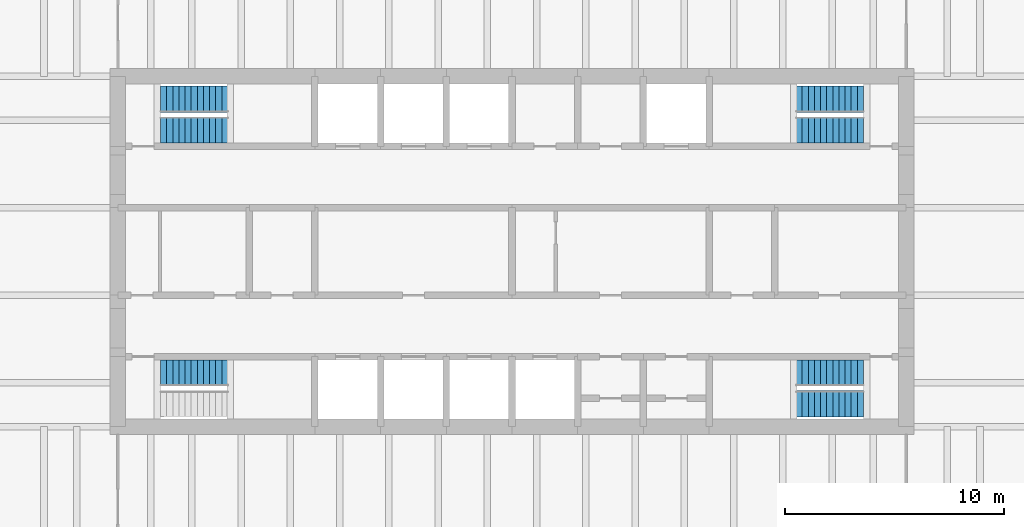
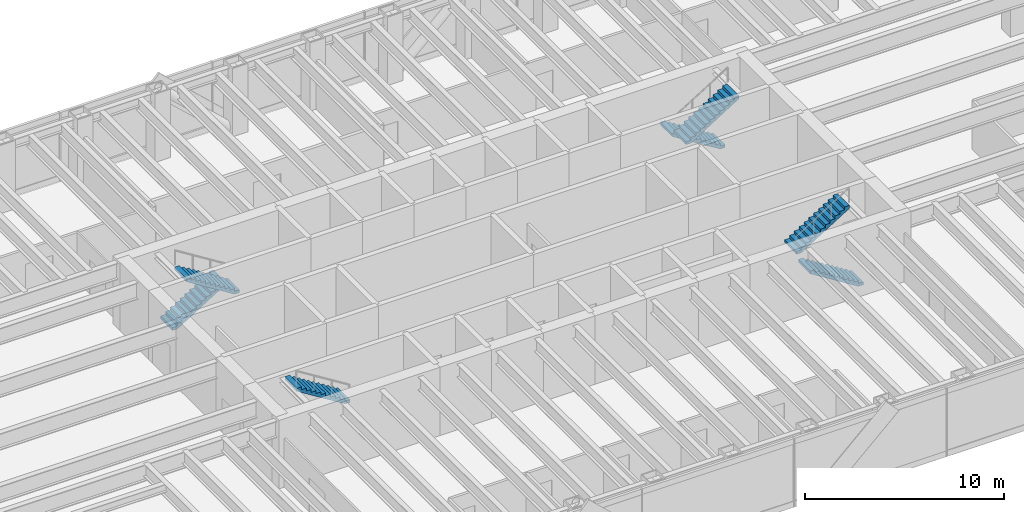
# One storey, part 14 of 15: 7 stair flights, 4 elements without a shape of their own.
"""IFC4 building model written with IfcOpenShell, lengths in metres."""

from ifc_helpers import new_model, si_unit, direction, frame, origin, place, context, subcontext, project, spatial, polyline, outline, extrude, material, type_object, element, aggregate, save


model = new_model("IFC4")

# Units and contexts
model_context = context("Model", 3, precision=1e-05, world=origin(), true_north=direction((0.0, 1.0)))
body_context = subcontext(model_context, "Body", "Model", "MODEL_VIEW")
ifc_project = project(units=[si_unit("LENGTHUNIT", "METRE"), si_unit("AREAUNIT", "SQUARE_METRE"), si_unit("VOLUMEUNIT", "CUBIC_METRE"), si_unit("PLANEANGLEUNIT", "RADIAN"), si_unit("MASSUNIT", "GRAM", prefix="KILO")], contexts=[model_context])

# Site, building, storey
site_placement = place(None, origin())
site = spatial("IfcSite", under=ifc_project, at=site_placement, CompositionType="ELEMENT")
building_placement = place(site_placement, origin())
building = spatial("IfcBuilding", under=site, at=building_placement, Name="Rheinbord Bourse Tower", CompositionType="ELEMENT")
storey_placement = place(building_placement, frame((0.0, 0.0, 308.89990234375)))
storey = spatial("IfcBuildingStorey", under=building, at=storey_placement, Name="L70", CompositionType="ELEMENT", Elevation=308.89990234375)

# Stair, stair flight
ifc_material_1 = material(Name="Concrete C30/37", Category="concrete")
stair_type = type_object("IfcStairType", Name="CORE STAIR HALF TURN 4200", PredefinedType="HALF_TURN_STAIR", material=ifc_material_1)
stair_1_placement = place(storey_placement, origin())
stair_1 = element("IfcStair", 1, at=stair_1_placement, inside=storey, type_object=stair_type, Name="Stair ST1 L70, type CS6", PredefinedType="HALF_TURN_STAIR")
ifc_material_2 = material(Name="Concrete C30/37", Category="concrete")
stair_flight_type = type_object("IfcStairFlightType", Name="CORE STAIR FLIGHT 1200, 12 RISERS", PredefinedType="STRAIGHT", material=ifc_material_2)
stair_flight_1_placement = place(storey_placement, frame((23.030029296875, 18.449951171875, 2.10009765625), z_axis=(0.0, 0.0, 1.0), x_axis=(-1.0, 0.0, 0.0)))
stair_flight_1 = element("IfcStairFlight", 2, at=stair_flight_1_placement, type_object=stair_flight_type, Name="STAIR L70 ST1 F2", NumberOfRisers=12, NumberOfTreads=11, PredefinedType="STRAIGHT", RiserHeight=0.175, TreadLength=0.28, context=body_context, shape_type="SweptSolid", body=[
    extrude(outline(polyline([(0.0, 0.0), (0.0, 0.175048828125), (0.280029296875, 0.175048828125), (0.280029296875, 0.35009765625), (0.56005859375, 0.35009765625), (0.56005859375, 0.52490234375), (0.840087890625, 0.52490234375), (0.840087890625, 0.699951171875), (1.1201171875, 0.699951171875), (1.1201171875, 0.875), (1.39990234375, 0.875), (1.39990234375, 1.050048828125), (1.679931640625, 1.050048828125), (1.679931640625, 1.22509765625), (1.9599609375, 1.22509765625), (1.9599609375, 1.39990234375), (2.239990234375, 1.39990234375), (2.239990234375, 1.574951171875), (2.52001953125, 1.574951171875), (2.52001953125, 1.75), (2.800048828125, 1.75), (2.800048828125, 1.925048828125), (3.080078125, 1.925048828125), (3.080078125, 2.10009765625), (3.080078125, 1.748291015625), (0.28271484375, 0.0), (0.0, 0.0)])), frame((0.0, 0.60009765625, 0.0), z_axis=(0.0, -1.0, 0.0), x_axis=(1.0, 0.0, 0.0)), (0.0, 0.0, 1.0), 1.199951171875),
])
aggregate(stair_1, [stair_flight_1])

# Stair, stair flights
stair_2_placement = place(storey_placement, origin())
stair_2 = element("IfcStair", 3, at=stair_2_placement, inside=storey, type_object=stair_type, Name="Stair ST2 L70, type CS6", PredefinedType="HALF_TURN_STAIR")
stair_flight_2_placement = place(storey_placement, frame((19.949951171875, 30.949951171875, 0.0), z_axis=(0.0, 0.0, 1.0), x_axis=(1.0, 0.0, 0.0)))
stair_flight_2 = element("IfcStairFlight", 4, at=stair_flight_2_placement, type_object=stair_flight_type, Name="STAIR L70 ST2 F1", NumberOfRisers=12, NumberOfTreads=11, PredefinedType="STRAIGHT", RiserHeight=0.175, TreadLength=0.28, context=body_context, shape_type="SweptSolid", body=[
    extrude(outline(polyline([(0.0, 0.0), (0.0, 0.175048828125), (0.280029296875, 0.175048828125), (0.280029296875, 0.35009765625), (0.56005859375, 0.35009765625), (0.56005859375, 0.52490234375), (0.840087890625, 0.52490234375), (0.840087890625, 0.699951171875), (1.1201171875, 0.699951171875), (1.1201171875, 0.875), (1.39990234375, 0.875), (1.39990234375, 1.050048828125), (1.679931640625, 1.050048828125), (1.679931640625, 1.22509765625), (1.9599609375, 1.22509765625), (1.9599609375, 1.39990234375), (2.239990234375, 1.39990234375), (2.239990234375, 1.574951171875), (2.52001953125, 1.574951171875), (2.52001953125, 1.75), (2.800048828125, 1.75), (2.800048828125, 1.925048828125), (3.080078125, 1.925048828125), (3.080078125, 2.10009765625), (3.080078125, 1.748291015625), (0.28271484375, 0.0), (0.0, 0.0)])), frame((0.0, 0.60009765625, 0.0), z_axis=(0.0, -1.0, 0.0), x_axis=(1.0, 0.0, 0.0)), (0.0, 0.0, 1.0), 1.199951171875),
])
stair_flight_3_placement = place(storey_placement, frame((23.030029296875, 29.550048828125, 2.10009765625), z_axis=(0.0, 0.0, 1.0), x_axis=(-1.0, 0.0, 0.0)))
stair_flight_3 = element("IfcStairFlight", 5, at=stair_flight_3_placement, type_object=stair_flight_type, Name="STAIR L70 ST2 F2", NumberOfRisers=12, NumberOfTreads=11, PredefinedType="STRAIGHT", RiserHeight=0.175, TreadLength=0.28, context=body_context, shape_type="SweptSolid", body=[
    extrude(outline(polyline([(0.0, 0.0), (0.0, 0.175048828125), (0.280029296875, 0.175048828125), (0.280029296875, 0.35009765625), (0.56005859375, 0.35009765625), (0.56005859375, 0.52490234375), (0.840087890625, 0.52490234375), (0.840087890625, 0.699951171875), (1.1201171875, 0.699951171875), (1.1201171875, 0.875), (1.39990234375, 0.875), (1.39990234375, 1.050048828125), (1.679931640625, 1.050048828125), (1.679931640625, 1.22509765625), (1.9599609375, 1.22509765625), (1.9599609375, 1.39990234375), (2.239990234375, 1.39990234375), (2.239990234375, 1.574951171875), (2.52001953125, 1.574951171875), (2.52001953125, 1.75), (2.800048828125, 1.75), (2.800048828125, 1.925048828125), (3.080078125, 1.925048828125), (3.080078125, 2.10009765625), (3.080078125, 1.748291015625), (0.28271484375, 0.0), (0.0, 0.0)])), frame((0.0, 0.60009765625, 0.0), z_axis=(0.0, -1.0, 0.0), x_axis=(1.0, 0.0, 0.0)), (0.0, 0.0, 1.0), 1.199951171875),
])
aggregate(stair_2, [stair_flight_2, stair_flight_3])

stair_3_placement = place(storey_placement, origin())
stair_3 = element("IfcStair", 6, at=stair_3_placement, inside=storey, type_object=stair_type, Name="Stair ST3 L70, type CS6", PredefinedType="HALF_TURN_STAIR")
stair_flight_4_placement = place(storey_placement, frame((52.050048828125, 17.050048828125, 0.0), z_axis=(0.0, 0.0, 1.0), x_axis=(-1.0, 0.0, 0.0)))
stair_flight_4 = element("IfcStairFlight", 7, at=stair_flight_4_placement, type_object=stair_flight_type, Name="STAIR L70 ST3 F1", NumberOfRisers=12, NumberOfTreads=11, PredefinedType="STRAIGHT", RiserHeight=0.175, TreadLength=0.28, context=body_context, shape_type="SweptSolid", body=[
    extrude(outline(polyline([(0.0, 0.0), (0.0, 0.175048828125), (0.280029296875, 0.175048828125), (0.280029296875, 0.35009765625), (0.56005859375, 0.35009765625), (0.56005859375, 0.52490234375), (0.840087890625, 0.52490234375), (0.840087890625, 0.699951171875), (1.1201171875, 0.699951171875), (1.1201171875, 0.875), (1.39990234375, 0.875), (1.39990234375, 1.050048828125), (1.679931640625, 1.050048828125), (1.679931640625, 1.22509765625), (1.9599609375, 1.22509765625), (1.9599609375, 1.39990234375), (2.239990234375, 1.39990234375), (2.239990234375, 1.574951171875), (2.52001953125, 1.574951171875), (2.52001953125, 1.75), (2.800048828125, 1.75), (2.800048828125, 1.925048828125), (3.080078125, 1.925048828125), (3.080078125, 2.10009765625), (3.080078125, 1.748291015625), (0.28271484375, 0.0), (0.0, 0.0)])), frame((0.0, 0.60009765625, 0.0), z_axis=(0.0, -1.0, 0.0), x_axis=(1.0, 0.0, 0.0)), (0.0, 0.0, 1.0), 1.199951171875),
])
stair_flight_5_placement = place(storey_placement, frame((48.969970703125, 18.449951171875, 2.10009765625), z_axis=(0.0, 0.0, 1.0), x_axis=(1.0, 0.0, 0.0)))
stair_flight_5 = element("IfcStairFlight", 8, at=stair_flight_5_placement, type_object=stair_flight_type, Name="STAIR L70 ST3 F2", NumberOfRisers=12, NumberOfTreads=11, PredefinedType="STRAIGHT", RiserHeight=0.175, TreadLength=0.28, context=body_context, shape_type="SweptSolid", body=[
    extrude(outline(polyline([(0.0, 0.0), (0.0, 0.175048828125), (0.280029296875, 0.175048828125), (0.280029296875, 0.35009765625), (0.56005859375, 0.35009765625), (0.56005859375, 0.52490234375), (0.840087890625, 0.52490234375), (0.840087890625, 0.699951171875), (1.1201171875, 0.699951171875), (1.1201171875, 0.875), (1.39990234375, 0.875), (1.39990234375, 1.050048828125), (1.679931640625, 1.050048828125), (1.679931640625, 1.22509765625), (1.9599609375, 1.22509765625), (1.9599609375, 1.39990234375), (2.239990234375, 1.39990234375), (2.239990234375, 1.574951171875), (2.52001953125, 1.574951171875), (2.52001953125, 1.75), (2.800048828125, 1.75), (2.800048828125, 1.925048828125), (3.080078125, 1.925048828125), (3.080078125, 2.10009765625), (3.080078125, 1.748291015625), (0.28271484375, 0.0), (0.0, 0.0)])), frame((0.0, 0.60009765625, 0.0), z_axis=(0.0, -1.0, 0.0), x_axis=(1.0, 0.0, 0.0)), (0.0, 0.0, 1.0), 1.199951171875),
])
aggregate(stair_3, [stair_flight_4, stair_flight_5])

stair_4_placement = place(storey_placement, origin())
stair_4 = element("IfcStair", 9, at=stair_4_placement, inside=storey, type_object=stair_type, Name="Stair ST4 L70, type CS6", PredefinedType="HALF_TURN_STAIR")
stair_flight_6_placement = place(storey_placement, frame((52.050048828125, 30.949951171875, 0.0), z_axis=(0.0, 0.0, 1.0), x_axis=(-1.0, 0.0, 0.0)))
stair_flight_6 = element("IfcStairFlight", 10, at=stair_flight_6_placement, type_object=stair_flight_type, Name="STAIR L70 ST4 F1", NumberOfRisers=12, NumberOfTreads=11, PredefinedType="STRAIGHT", RiserHeight=0.175, TreadLength=0.28, context=body_context, shape_type="SweptSolid", body=[
    extrude(outline(polyline([(0.0, 0.0), (0.0, 0.175048828125), (0.280029296875, 0.175048828125), (0.280029296875, 0.35009765625), (0.56005859375, 0.35009765625), (0.56005859375, 0.52490234375), (0.840087890625, 0.52490234375), (0.840087890625, 0.699951171875), (1.1201171875, 0.699951171875), (1.1201171875, 0.875), (1.39990234375, 0.875), (1.39990234375, 1.050048828125), (1.679931640625, 1.050048828125), (1.679931640625, 1.22509765625), (1.9599609375, 1.22509765625), (1.9599609375, 1.39990234375), (2.239990234375, 1.39990234375), (2.239990234375, 1.574951171875), (2.52001953125, 1.574951171875), (2.52001953125, 1.75), (2.800048828125, 1.75), (2.800048828125, 1.925048828125), (3.080078125, 1.925048828125), (3.080078125, 2.10009765625), (3.080078125, 1.748291015625), (0.28271484375, 0.0), (0.0, 0.0)])), frame((0.0, 0.60009765625, 0.0), z_axis=(0.0, -1.0, 0.0), x_axis=(1.0, 0.0, 0.0)), (0.0, 0.0, 1.0), 1.199951171875),
])
stair_flight_7_placement = place(storey_placement, frame((48.969970703125, 29.550048828125, 2.10009765625), z_axis=(0.0, 0.0, 1.0), x_axis=(1.0, 0.0, 0.0)))
stair_flight_7 = element("IfcStairFlight", 11, at=stair_flight_7_placement, type_object=stair_flight_type, Name="STAIR L70 ST4 F2", NumberOfRisers=12, NumberOfTreads=11, PredefinedType="STRAIGHT", RiserHeight=0.175, TreadLength=0.28, context=body_context, shape_type="SweptSolid", body=[
    extrude(outline(polyline([(0.0, 0.0), (0.0, 0.175048828125), (0.280029296875, 0.175048828125), (0.280029296875, 0.35009765625), (0.56005859375, 0.35009765625), (0.56005859375, 0.52490234375), (0.840087890625, 0.52490234375), (0.840087890625, 0.699951171875), (1.1201171875, 0.699951171875), (1.1201171875, 0.875), (1.39990234375, 0.875), (1.39990234375, 1.050048828125), (1.679931640625, 1.050048828125), (1.679931640625, 1.22509765625), (1.9599609375, 1.22509765625), (1.9599609375, 1.39990234375), (2.239990234375, 1.39990234375), (2.239990234375, 1.574951171875), (2.52001953125, 1.574951171875), (2.52001953125, 1.75), (2.800048828125, 1.75), (2.800048828125, 1.925048828125), (3.080078125, 1.925048828125), (3.080078125, 2.10009765625), (3.080078125, 1.748291015625), (0.28271484375, 0.0), (0.0, 0.0)])), frame((0.0, 0.60009765625, 0.0), z_axis=(0.0, -1.0, 0.0), x_axis=(1.0, 0.0, 0.0)), (0.0, 0.0, 1.0), 1.199951171875),
])
aggregate(stair_4, [stair_flight_6, stair_flight_7])

save(model, "model.ifc")
